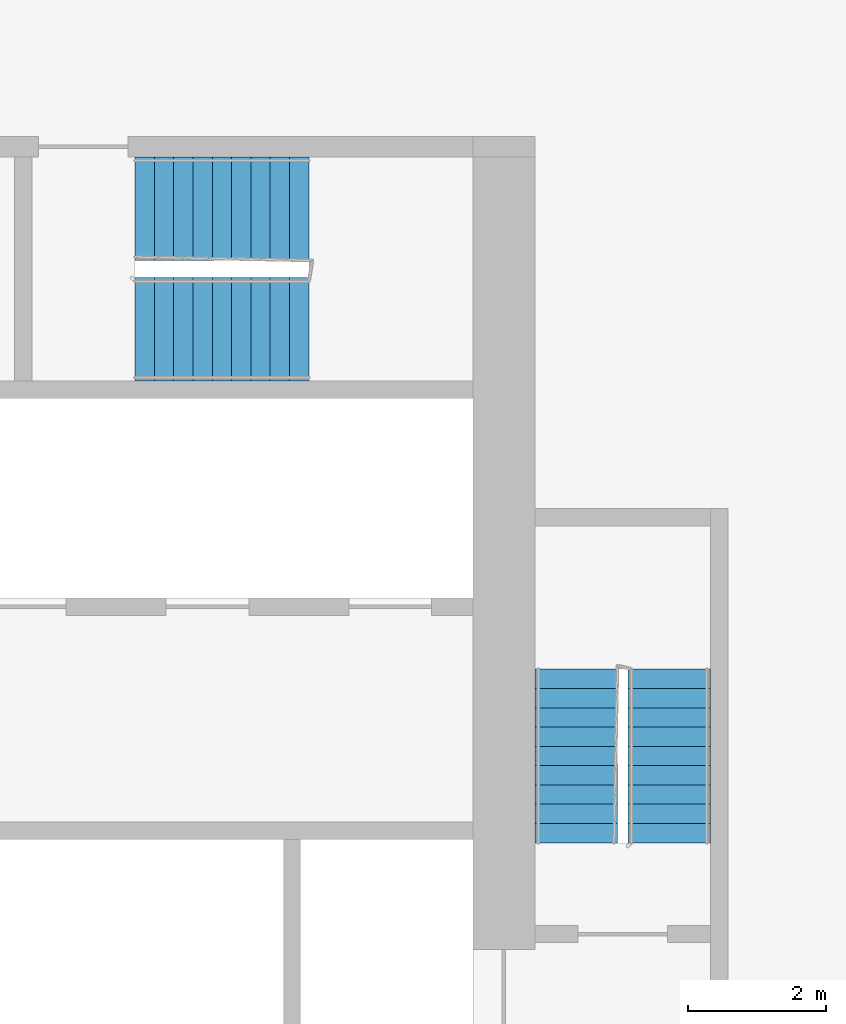
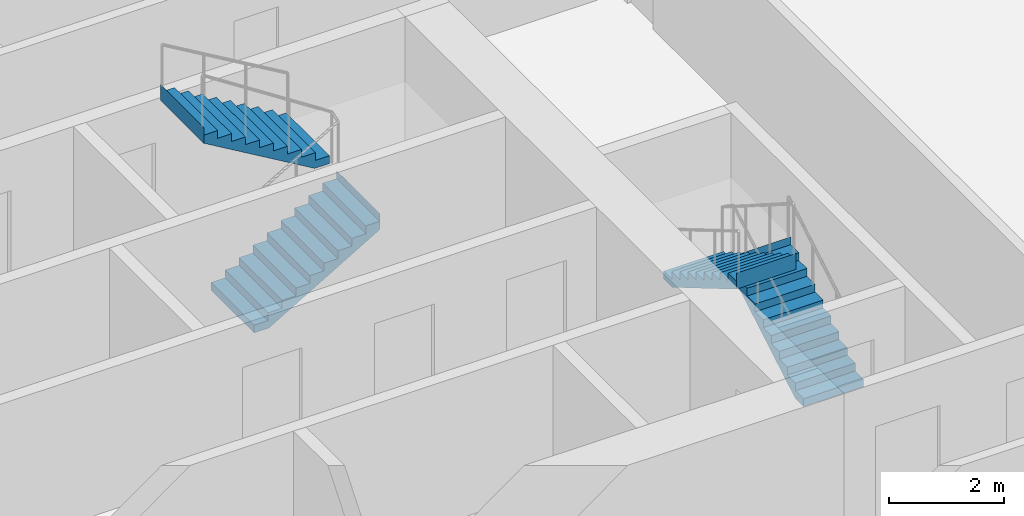
# One storey, part 11 of 12: 4 stair flights, 2 elements without a shape of their own.
"""IFC4 building model written with IfcOpenShell, lengths in metres."""

from ifc_helpers import new_model, si_unit, direction, frame, origin, place, context, subcontext, project, spatial, faceted_brep, material, type_object, element, aggregate, save


model = new_model("IFC4")

# Units and contexts
model_context = context("Model", 3, precision=1e-05, world=origin(), true_north=direction((0.0, 1.0)))
body_context = subcontext(model_context, "Body", "Model", "MODEL_VIEW")
ifc_project = project(units=[si_unit("LENGTHUNIT", "METRE"), si_unit("AREAUNIT", "SQUARE_METRE"), si_unit("VOLUMEUNIT", "CUBIC_METRE"), si_unit("PLANEANGLEUNIT", "RADIAN"), si_unit("MASSUNIT", "GRAM", prefix="KILO")], contexts=[model_context])

# Site, building, storey
site_placement = place(None, origin())
site = spatial("IfcSite", under=ifc_project, at=site_placement, CompositionType="ELEMENT")
building_placement = place(site_placement, origin())
building = spatial("IfcBuilding", under=site, at=building_placement, Name="Kajstack Hotel Tower", CompositionType="ELEMENT")
storey_placement = place(building_placement, frame((0.0, 0.0, 73.199951171875)))
storey = spatial("IfcBuildingStorey", under=building, at=storey_placement, Name="L13", CompositionType="ELEMENT", Elevation=73.199951171875)

# Stair, stair flights
ifc_material = material(Name="Concrete C40/50", Category="concrete")
stair_type_1 = type_object("IfcStairType", Name="Exit stair 1200", PredefinedType="HALF_TURN_STAIR", material=ifc_material)
stair_1_placement = place(storey_placement, origin())
stair_1 = element("IfcStair", 1, at=stair_1_placement, inside=storey, type_object=stair_type_1, Name="L13 stair E1", PredefinedType="HALF_TURN_STAIR")
stair_flight_type_1 = type_object("IfcStairFlightType", Name="Exit stair flight 1200", PredefinedType="STRAIGHT", material=ifc_material)
stair_flight_1_placement = place(storey_placement, frame((33.449951171875, 5.25, 0.0), z_axis=(0.0, 0.0, 1.0), x_axis=(0.0, 1.0, 0.0)))
stair_flight_1 = element("IfcStairFlight", 2, at=stair_flight_1_placement, type_object=stair_flight_type_1, Name="E1 flight 1", NumberOfRisers=10, NumberOfTreads=9, PredefinedType="STRAIGHT", RiserHeight=0.165, TreadLength=0.28, context=body_context, shape_type="Brep", body=[
    faceted_brep([(0.295654296875, -0.60009765625, 0.0), (2.5205078125, -0.60009765625, 1.31103515625), (2.5205078125, -0.60009765625, 1.64990234375), (2.52001953125, -0.60009765625, 1.64990234375), (2.52001953125, -0.60009765625, 1.485107421875), (2.239990234375, -0.60009765625, 1.485107421875), (2.239990234375, -0.60009765625, 1.320068359375), (1.9599609375, -0.60009765625, 1.320068359375), (1.9599609375, -0.60009765625, 1.155029296875), (1.679931640625, -0.60009765625, 1.155029296875), (1.679931640625, -0.60009765625, 0.989990234375), (1.39990234375, -0.60009765625, 0.989990234375), (1.39990234375, -0.60009765625, 0.824951171875), (1.1201171875, -0.60009765625, 0.824951171875), (1.1201171875, -0.60009765625, 0.659912109375), (0.840087890625, -0.60009765625, 0.659912109375), (0.840087890625, -0.60009765625, 0.4951171875), (0.56005859375, -0.60009765625, 0.4951171875), (0.56005859375, -0.60009765625, 0.330078125), (0.280029296875, -0.60009765625, 0.330078125), (0.280029296875, -0.60009765625, 0.1650390625), (-0.00048828125, -0.60009765625, 0.1650390625), (-0.00048828125, -0.60009765625, 0.0), (-0.00048828125, 0.60009765625, 0.0), (-0.00048828125, 0.60009765625, 0.1650390625), (0.280029296875, 0.60009765625, 0.1650390625), (0.280029296875, 0.60009765625, 0.330078125), (0.56005859375, 0.60009765625, 0.330078125), (0.56005859375, 0.60009765625, 0.4951171875), (0.840087890625, 0.60009765625, 0.4951171875), (0.840087890625, 0.60009765625, 0.659912109375), (1.1201171875, 0.60009765625, 0.659912109375), (1.1201171875, 0.60009765625, 0.824951171875), (1.39990234375, 0.60009765625, 0.824951171875), (1.39990234375, 0.60009765625, 0.989990234375), (1.679931640625, 0.60009765625, 0.989990234375), (1.679931640625, 0.60009765625, 1.155029296875), (1.9599609375, 0.60009765625, 1.155029296875), (1.9599609375, 0.60009765625, 1.320068359375), (2.239990234375, 0.60009765625, 1.320068359375), (2.239990234375, 0.60009765625, 1.485107421875), (2.52001953125, 0.60009765625, 1.485107421875), (2.52001953125, 0.60009765625, 1.64990234375), (2.5205078125, 0.60009765625, 1.64990234375), (2.5205078125, 0.60009765625, 1.31103515625), (0.295654296875, 0.60009765625, 0.0), (-0.00048828125, -0.300048828125, 0.1650390625), (-0.00048828125, 0.0, 0.1650390625), (-0.00048828125, 0.300048828125, 0.1650390625), (-0.00048828125, 0.300048828125, 0.0), (-0.00048828125, 0.0, 0.0), (-0.00048828125, -0.300048828125, 0.0), (0.280029296875, -0.300048828125, 0.1650390625), (0.280029296875, 0.0, 0.1650390625), (0.280029296875, 0.300048828125, 0.1650390625), (0.280029296875, -0.300048828125, 0.330078125), (0.280029296875, 0.0, 0.330078125), (0.280029296875, 0.300048828125, 0.330078125), (0.56005859375, -0.300048828125, 0.330078125), (0.56005859375, 0.0, 0.330078125), (0.56005859375, 0.300048828125, 0.330078125), (0.56005859375, -0.300048828125, 0.4951171875), (0.56005859375, 0.0, 0.4951171875), (0.56005859375, 0.300048828125, 0.4951171875), (0.840087890625, -0.300048828125, 0.4951171875), (0.840087890625, 0.0, 0.4951171875), (0.840087890625, 0.300048828125, 0.4951171875), (0.840087890625, -0.300048828125, 0.659912109375), (0.840087890625, 0.0, 0.659912109375), (0.840087890625, 0.300048828125, 0.659912109375), (1.1201171875, -0.300048828125, 0.659912109375), (1.1201171875, 0.0, 0.659912109375), (1.1201171875, 0.300048828125, 0.659912109375), (1.1201171875, -0.300048828125, 0.824951171875), (1.1201171875, 0.0, 0.824951171875), (1.1201171875, 0.300048828125, 0.824951171875), (1.39990234375, -0.300048828125, 0.824951171875), (1.39990234375, 0.0, 0.824951171875), (1.39990234375, 0.300048828125, 0.824951171875), (1.39990234375, -0.300048828125, 0.989990234375), (1.39990234375, 0.0, 0.989990234375), (1.39990234375, 0.300048828125, 0.989990234375), (1.679931640625, -0.300048828125, 0.989990234375), (1.679931640625, 0.0, 0.989990234375), (1.679931640625, 0.300048828125, 0.989990234375), (1.679931640625, -0.300048828125, 1.155029296875), (1.679931640625, 0.0, 1.155029296875), (1.679931640625, 0.300048828125, 1.155029296875), (1.9599609375, -0.300048828125, 1.155029296875), (1.9599609375, 0.0, 1.155029296875), (1.9599609375, 0.300048828125, 1.155029296875), (1.9599609375, -0.300048828125, 1.320068359375), (1.9599609375, 0.0, 1.320068359375), (1.9599609375, 0.300048828125, 1.320068359375), (2.239990234375, -0.300048828125, 1.320068359375), (2.239990234375, 0.0, 1.320068359375), (2.239990234375, 0.300048828125, 1.320068359375), (2.239990234375, -0.300048828125, 1.485107421875), (2.239990234375, 0.0, 1.485107421875), (2.239990234375, 0.300048828125, 1.485107421875), (2.52001953125, -0.300048828125, 1.485107421875), (2.52001953125, 0.0, 1.485107421875), (2.52001953125, 0.300048828125, 1.485107421875), (2.52001953125, -0.300048828125, 1.64990234375), (2.52001953125, 0.0, 1.64990234375), (2.52001953125, 0.300048828125, 1.64990234375), (2.5205078125, -0.300048828125, 1.64990234375), (2.5205078125, 0.0, 1.64990234375), (2.5205078125, 0.300048828125, 1.64990234375), (2.5205078125, -0.300048828125, 1.31103515625), (2.5205078125, 0.0, 1.31103515625), (2.5205078125, 0.300048828125, 1.31103515625), (0.295654296875, -0.300048828125, 0.0), (0.295654296875, 0.0, 0.0), (0.295654296875, 0.300048828125, 0.0)], [[[0, 1, 2, 3, 4, 5, 6, 7, 8, 9, 10, 11, 12, 13, 14, 15, 16, 17, 18, 19, 20, 21, 22]], [[23, 24, 25, 26, 27, 28, 29, 30, 31, 32, 33, 34, 35, 36, 37, 38, 39, 40, 41, 42, 43, 44, 45]], [[21, 46, 47, 48, 24, 23, 49, 50, 51, 22]], [[20, 52, 53, 54, 25, 24, 48, 47, 46, 21]], [[19, 55, 56, 57, 26, 25, 54, 53, 52, 20]], [[18, 58, 59, 60, 27, 26, 57, 56, 55, 19]], [[17, 61, 62, 63, 28, 27, 60, 59, 58, 18]], [[16, 64, 65, 66, 29, 28, 63, 62, 61, 17]], [[15, 67, 68, 69, 30, 29, 66, 65, 64, 16]], [[14, 70, 71, 72, 31, 30, 69, 68, 67, 15]], [[13, 73, 74, 75, 32, 31, 72, 71, 70, 14]], [[12, 76, 77, 78, 33, 32, 75, 74, 73, 13]], [[11, 79, 80, 81, 34, 33, 78, 77, 76, 12]], [[10, 82, 83, 84, 35, 34, 81, 80, 79, 11]], [[9, 85, 86, 87, 36, 35, 84, 83, 82, 10]], [[8, 88, 89, 90, 37, 36, 87, 86, 85, 9]], [[7, 91, 92, 93, 38, 37, 90, 89, 88, 8]], [[6, 94, 95, 96, 39, 38, 93, 92, 91, 7]], [[5, 97, 98, 99, 40, 39, 96, 95, 94, 6]], [[4, 100, 101, 102, 41, 40, 99, 98, 97, 5]], [[3, 103, 104, 105, 42, 41, 102, 101, 100, 4]], [[2, 106, 107, 108, 43, 42, 105, 104, 103, 3]], [[1, 109, 110, 111, 44, 43, 108, 107, 106, 2]], [[0, 112, 113, 114, 45, 44, 111, 110, 109, 1]], [[22, 51, 50, 49, 23, 45, 114, 113, 112, 0]]]),
])
stair_flight_2_placement = place(storey_placement, frame((32.10009765625, 7.77001953125, 1.650146484375), z_axis=(0.0, 0.0, 1.0), x_axis=(0.0, -1.0, 0.0)))
stair_flight_2 = element("IfcStairFlight", 3, at=stair_flight_2_placement, type_object=stair_flight_type_1, Name="E1 flight 2", NumberOfRisers=10, NumberOfTreads=9, PredefinedType="STRAIGHT", RiserHeight=0.165, TreadLength=0.28, context=body_context, shape_type="Brep", body=[
    faceted_brep([(0.295654296875, -0.60009765625, 0.0), (2.5205078125, -0.60009765625, 1.31103515625), (2.5205078125, -0.60009765625, 1.64990234375), (2.52001953125, -0.60009765625, 1.64990234375), (2.52001953125, -0.60009765625, 1.485107421875), (2.239990234375, -0.60009765625, 1.485107421875), (2.239990234375, -0.60009765625, 1.320068359375), (1.9599609375, -0.60009765625, 1.320068359375), (1.9599609375, -0.60009765625, 1.155029296875), (1.679931640625, -0.60009765625, 1.155029296875), (1.679931640625, -0.60009765625, 0.989990234375), (1.39990234375, -0.60009765625, 0.989990234375), (1.39990234375, -0.60009765625, 0.824951171875), (1.1201171875, -0.60009765625, 0.824951171875), (1.1201171875, -0.60009765625, 0.659912109375), (0.840087890625, -0.60009765625, 0.659912109375), (0.840087890625, -0.60009765625, 0.4951171875), (0.56005859375, -0.60009765625, 0.4951171875), (0.56005859375, -0.60009765625, 0.330078125), (0.280029296875, -0.60009765625, 0.330078125), (0.280029296875, -0.60009765625, 0.1650390625), (-0.00048828125, -0.60009765625, 0.1650390625), (-0.00048828125, -0.60009765625, 0.0), (-0.00048828125, 0.60009765625, 0.0), (-0.00048828125, 0.60009765625, 0.1650390625), (0.280029296875, 0.60009765625, 0.1650390625), (0.280029296875, 0.60009765625, 0.330078125), (0.56005859375, 0.60009765625, 0.330078125), (0.56005859375, 0.60009765625, 0.4951171875), (0.840087890625, 0.60009765625, 0.4951171875), (0.840087890625, 0.60009765625, 0.659912109375), (1.1201171875, 0.60009765625, 0.659912109375), (1.1201171875, 0.60009765625, 0.824951171875), (1.39990234375, 0.60009765625, 0.824951171875), (1.39990234375, 0.60009765625, 0.989990234375), (1.679931640625, 0.60009765625, 0.989990234375), (1.679931640625, 0.60009765625, 1.155029296875), (1.9599609375, 0.60009765625, 1.155029296875), (1.9599609375, 0.60009765625, 1.320068359375), (2.239990234375, 0.60009765625, 1.320068359375), (2.239990234375, 0.60009765625, 1.485107421875), (2.52001953125, 0.60009765625, 1.485107421875), (2.52001953125, 0.60009765625, 1.64990234375), (2.5205078125, 0.60009765625, 1.64990234375), (2.5205078125, 0.60009765625, 1.31103515625), (0.295654296875, 0.60009765625, 0.0), (-0.00048828125, -0.300048828125, 0.1650390625), (-0.00048828125, 0.0, 0.1650390625), (-0.00048828125, 0.300048828125, 0.1650390625), (-0.00048828125, 0.300048828125, 0.0), (-0.00048828125, 0.0, 0.0), (-0.00048828125, -0.300048828125, 0.0), (0.280029296875, -0.300048828125, 0.1650390625), (0.280029296875, 0.0, 0.1650390625), (0.280029296875, 0.300048828125, 0.1650390625), (0.280029296875, -0.300048828125, 0.330078125), (0.280029296875, 0.0, 0.330078125), (0.280029296875, 0.300048828125, 0.330078125), (0.56005859375, -0.300048828125, 0.330078125), (0.56005859375, 0.0, 0.330078125), (0.56005859375, 0.300048828125, 0.330078125), (0.56005859375, -0.300048828125, 0.4951171875), (0.56005859375, 0.0, 0.4951171875), (0.56005859375, 0.300048828125, 0.4951171875), (0.840087890625, -0.300048828125, 0.4951171875), (0.840087890625, 0.0, 0.4951171875), (0.840087890625, 0.300048828125, 0.4951171875), (0.840087890625, -0.300048828125, 0.659912109375), (0.840087890625, 0.0, 0.659912109375), (0.840087890625, 0.300048828125, 0.659912109375), (1.1201171875, -0.300048828125, 0.659912109375), (1.1201171875, 0.0, 0.659912109375), (1.1201171875, 0.300048828125, 0.659912109375), (1.1201171875, -0.300048828125, 0.824951171875), (1.1201171875, 0.0, 0.824951171875), (1.1201171875, 0.300048828125, 0.824951171875), (1.39990234375, -0.300048828125, 0.824951171875), (1.39990234375, 0.0, 0.824951171875), (1.39990234375, 0.300048828125, 0.824951171875), (1.39990234375, -0.300048828125, 0.989990234375), (1.39990234375, 0.0, 0.989990234375), (1.39990234375, 0.300048828125, 0.989990234375), (1.679931640625, -0.300048828125, 0.989990234375), (1.679931640625, 0.0, 0.989990234375), (1.679931640625, 0.300048828125, 0.989990234375), (1.679931640625, -0.300048828125, 1.155029296875), (1.679931640625, 0.0, 1.155029296875), (1.679931640625, 0.300048828125, 1.155029296875), (1.9599609375, -0.300048828125, 1.155029296875), (1.9599609375, 0.0, 1.155029296875), (1.9599609375, 0.300048828125, 1.155029296875), (1.9599609375, -0.300048828125, 1.320068359375), (1.9599609375, 0.0, 1.320068359375), (1.9599609375, 0.300048828125, 1.320068359375), (2.239990234375, -0.300048828125, 1.320068359375), (2.239990234375, 0.0, 1.320068359375), (2.239990234375, 0.300048828125, 1.320068359375), (2.239990234375, -0.300048828125, 1.485107421875), (2.239990234375, 0.0, 1.485107421875), (2.239990234375, 0.300048828125, 1.485107421875), (2.52001953125, -0.300048828125, 1.485107421875), (2.52001953125, 0.0, 1.485107421875), (2.52001953125, 0.300048828125, 1.485107421875), (2.52001953125, -0.300048828125, 1.64990234375), (2.52001953125, 0.0, 1.64990234375), (2.52001953125, 0.300048828125, 1.64990234375), (2.5205078125, -0.300048828125, 1.64990234375), (2.5205078125, 0.0, 1.64990234375), (2.5205078125, 0.300048828125, 1.64990234375), (2.5205078125, -0.300048828125, 1.31103515625), (2.5205078125, 0.0, 1.31103515625), (2.5205078125, 0.300048828125, 1.31103515625), (0.295654296875, -0.300048828125, 0.0), (0.295654296875, 0.0, 0.0), (0.295654296875, 0.300048828125, 0.0)], [[[0, 1, 2, 3, 4, 5, 6, 7, 8, 9, 10, 11, 12, 13, 14, 15, 16, 17, 18, 19, 20, 21, 22]], [[23, 24, 25, 26, 27, 28, 29, 30, 31, 32, 33, 34, 35, 36, 37, 38, 39, 40, 41, 42, 43, 44, 45]], [[21, 46, 47, 48, 24, 23, 49, 50, 51, 22]], [[20, 52, 53, 54, 25, 24, 48, 47, 46, 21]], [[19, 55, 56, 57, 26, 25, 54, 53, 52, 20]], [[18, 58, 59, 60, 27, 26, 57, 56, 55, 19]], [[17, 61, 62, 63, 28, 27, 60, 59, 58, 18]], [[16, 64, 65, 66, 29, 28, 63, 62, 61, 17]], [[15, 67, 68, 69, 30, 29, 66, 65, 64, 16]], [[14, 70, 71, 72, 31, 30, 69, 68, 67, 15]], [[13, 73, 74, 75, 32, 31, 72, 71, 70, 14]], [[12, 76, 77, 78, 33, 32, 75, 74, 73, 13]], [[11, 79, 80, 81, 34, 33, 78, 77, 76, 12]], [[10, 82, 83, 84, 35, 34, 81, 80, 79, 11]], [[9, 85, 86, 87, 36, 35, 84, 83, 82, 10]], [[8, 88, 89, 90, 37, 36, 87, 86, 85, 9]], [[7, 91, 92, 93, 38, 37, 90, 89, 88, 8]], [[6, 94, 95, 96, 39, 38, 93, 92, 91, 7]], [[5, 97, 98, 99, 40, 39, 96, 95, 94, 6]], [[4, 100, 101, 102, 41, 40, 99, 98, 97, 5]], [[3, 103, 104, 105, 42, 41, 102, 101, 100, 4]], [[2, 106, 107, 108, 43, 42, 105, 104, 103, 3]], [[1, 109, 110, 111, 44, 43, 108, 107, 106, 2]], [[0, 112, 113, 114, 45, 44, 111, 110, 109, 1]], [[22, 51, 50, 49, 23, 45, 114, 113, 112, 0]]]),
])
aggregate(stair_1, [stair_flight_1, stair_flight_2])

stair_type_2 = type_object("IfcStairType", Name="Exit stair 1500", PredefinedType="HALF_TURN_STAIR", material=ifc_material)
stair_2_placement = place(storey_placement, origin())
stair_2 = element("IfcStair", 4, at=stair_2_placement, inside=storey, type_object=stair_type_2, Name="L13 stair E3", PredefinedType="HALF_TURN_STAIR")
stair_flight_type_2 = type_object("IfcStairFlightType", Name="Exit stair flight 1500", PredefinedType="STRAIGHT", material=ifc_material)
stair_flight_3_placement = place(storey_placement, frame((25.699951171875, 12.699951171875, 0.0), z_axis=(0.0, 0.0, 1.0), x_axis=(1.0, 0.0, 0.0)))
stair_flight_3 = element("IfcStairFlight", 5, at=stair_flight_3_placement, type_object=stair_flight_type_2, Name="E3 flight 1", NumberOfRisers=10, NumberOfTreads=9, PredefinedType="STRAIGHT", RiserHeight=0.165, TreadLength=0.28, context=body_context, shape_type="Brep", body=[
    faceted_brep([(0.295654296875, -0.75, 0.0), (2.5205078125, -0.75, 1.31103515625), (2.5205078125, -0.75, 1.64990234375), (2.52001953125, -0.75, 1.64990234375), (2.52001953125, -0.75, 1.485107421875), (2.239990234375, -0.75, 1.485107421875), (2.239990234375, -0.75, 1.320068359375), (1.9599609375, -0.75, 1.320068359375), (1.9599609375, -0.75, 1.155029296875), (1.679931640625, -0.75, 1.155029296875), (1.679931640625, -0.75, 0.989990234375), (1.39990234375, -0.75, 0.989990234375), (1.39990234375, -0.75, 0.824951171875), (1.1201171875, -0.75, 0.824951171875), (1.1201171875, -0.75, 0.659912109375), (0.840087890625, -0.75, 0.659912109375), (0.840087890625, -0.75, 0.4951171875), (0.56005859375, -0.75, 0.4951171875), (0.56005859375, -0.75, 0.330078125), (0.280029296875, -0.75, 0.330078125), (0.280029296875, -0.75, 0.1650390625), (-0.00048828125, -0.75, 0.1650390625), (-0.00048828125, -0.75, 0.0), (-0.00048828125, 0.75, 0.0), (-0.00048828125, 0.75, 0.1650390625), (0.280029296875, 0.75, 0.1650390625), (0.280029296875, 0.75, 0.330078125), (0.56005859375, 0.75, 0.330078125), (0.56005859375, 0.75, 0.4951171875), (0.840087890625, 0.75, 0.4951171875), (0.840087890625, 0.75, 0.659912109375), (1.1201171875, 0.75, 0.659912109375), (1.1201171875, 0.75, 0.824951171875), (1.39990234375, 0.75, 0.824951171875), (1.39990234375, 0.75, 0.989990234375), (1.679931640625, 0.75, 0.989990234375), (1.679931640625, 0.75, 1.155029296875), (1.9599609375, 0.75, 1.155029296875), (1.9599609375, 0.75, 1.320068359375), (2.239990234375, 0.75, 1.320068359375), (2.239990234375, 0.75, 1.485107421875), (2.52001953125, 0.75, 1.485107421875), (2.52001953125, 0.75, 1.64990234375), (2.5205078125, 0.75, 1.64990234375), (2.5205078125, 0.75, 1.31103515625), (0.295654296875, 0.75, 0.0), (-0.00048828125, -0.375, 0.1650390625), (-0.00048828125, 0.0, 0.1650390625), (-0.00048828125, 0.375, 0.1650390625), (-0.00048828125, 0.375, 0.0), (-0.00048828125, 0.0, 0.0), (-0.00048828125, -0.375, 0.0), (0.280029296875, -0.375, 0.1650390625), (0.280029296875, 0.0, 0.1650390625), (0.280029296875, 0.375, 0.1650390625), (0.280029296875, -0.375, 0.330078125), (0.280029296875, 0.0, 0.330078125), (0.280029296875, 0.375, 0.330078125), (0.56005859375, -0.375, 0.330078125), (0.56005859375, 0.0, 0.330078125), (0.56005859375, 0.375, 0.330078125), (0.56005859375, -0.375, 0.4951171875), (0.56005859375, 0.0, 0.4951171875), (0.56005859375, 0.375, 0.4951171875), (0.840087890625, -0.375, 0.4951171875), (0.840087890625, 0.0, 0.4951171875), (0.840087890625, 0.375, 0.4951171875), (0.840087890625, -0.375, 0.659912109375), (0.840087890625, 0.0, 0.659912109375), (0.840087890625, 0.375, 0.659912109375), (1.1201171875, -0.375, 0.659912109375), (1.1201171875, 0.0, 0.659912109375), (1.1201171875, 0.375, 0.659912109375), (1.1201171875, -0.375, 0.824951171875), (1.1201171875, 0.0, 0.824951171875), (1.1201171875, 0.375, 0.824951171875), (1.39990234375, -0.375, 0.824951171875), (1.39990234375, 0.0, 0.824951171875), (1.39990234375, 0.375, 0.824951171875), (1.39990234375, -0.375, 0.989990234375), (1.39990234375, 0.0, 0.989990234375), (1.39990234375, 0.375, 0.989990234375), (1.679931640625, -0.375, 0.989990234375), (1.679931640625, 0.0, 0.989990234375), (1.679931640625, 0.375, 0.989990234375), (1.679931640625, -0.375, 1.155029296875), (1.679931640625, 0.0, 1.155029296875), (1.679931640625, 0.375, 1.155029296875), (1.9599609375, -0.375, 1.155029296875), (1.9599609375, 0.0, 1.155029296875), (1.9599609375, 0.375, 1.155029296875), (1.9599609375, -0.375, 1.320068359375), (1.9599609375, 0.0, 1.320068359375), (1.9599609375, 0.375, 1.320068359375), (2.239990234375, -0.375, 1.320068359375), (2.239990234375, 0.0, 1.320068359375), (2.239990234375, 0.375, 1.320068359375), (2.239990234375, -0.375, 1.485107421875), (2.239990234375, 0.0, 1.485107421875), (2.239990234375, 0.375, 1.485107421875), (2.52001953125, -0.375, 1.485107421875), (2.52001953125, 0.0, 1.485107421875), (2.52001953125, 0.375, 1.485107421875), (2.52001953125, -0.375, 1.64990234375), (2.52001953125, 0.0, 1.64990234375), (2.52001953125, 0.375, 1.64990234375), (2.5205078125, -0.375, 1.64990234375), (2.5205078125, 0.0, 1.64990234375), (2.5205078125, 0.375, 1.64990234375), (2.5205078125, -0.375, 1.31103515625), (2.5205078125, 0.0, 1.31103515625), (2.5205078125, 0.375, 1.31103515625), (0.295654296875, -0.375, 0.0), (0.295654296875, 0.0, 0.0), (0.295654296875, 0.375, 0.0)], [[[0, 1, 2, 3, 4, 5, 6, 7, 8, 9, 10, 11, 12, 13, 14, 15, 16, 17, 18, 19, 20, 21, 22]], [[23, 24, 25, 26, 27, 28, 29, 30, 31, 32, 33, 34, 35, 36, 37, 38, 39, 40, 41, 42, 43, 44, 45]], [[21, 46, 47, 48, 24, 23, 49, 50, 51, 22]], [[20, 52, 53, 54, 25, 24, 48, 47, 46, 21]], [[19, 55, 56, 57, 26, 25, 54, 53, 52, 20]], [[18, 58, 59, 60, 27, 26, 57, 56, 55, 19]], [[17, 61, 62, 63, 28, 27, 60, 59, 58, 18]], [[16, 64, 65, 66, 29, 28, 63, 62, 61, 17]], [[15, 67, 68, 69, 30, 29, 66, 65, 64, 16]], [[14, 70, 71, 72, 31, 30, 69, 68, 67, 15]], [[13, 73, 74, 75, 32, 31, 72, 71, 70, 14]], [[12, 76, 77, 78, 33, 32, 75, 74, 73, 13]], [[11, 79, 80, 81, 34, 33, 78, 77, 76, 12]], [[10, 82, 83, 84, 35, 34, 81, 80, 79, 11]], [[9, 85, 86, 87, 36, 35, 84, 83, 82, 10]], [[8, 88, 89, 90, 37, 36, 87, 86, 85, 9]], [[7, 91, 92, 93, 38, 37, 90, 89, 88, 8]], [[6, 94, 95, 96, 39, 38, 93, 92, 91, 7]], [[5, 97, 98, 99, 40, 39, 96, 95, 94, 6]], [[4, 100, 101, 102, 41, 40, 99, 98, 97, 5]], [[3, 103, 104, 105, 42, 41, 102, 101, 100, 4]], [[2, 106, 107, 108, 43, 42, 105, 104, 103, 3]], [[1, 109, 110, 111, 44, 43, 108, 107, 106, 2]], [[0, 112, 113, 114, 45, 44, 111, 110, 109, 1]], [[22, 51, 50, 49, 23, 45, 114, 113, 112, 0]]]),
])
stair_flight_4_placement = place(storey_placement, frame((28.219970703125, 14.449951171875, 1.650146484375), z_axis=(0.0, 0.0, 1.0), x_axis=(-1.0, 0.0, 0.0)))
stair_flight_4 = element("IfcStairFlight", 6, at=stair_flight_4_placement, type_object=stair_flight_type_2, Name="E3 flight 2", NumberOfRisers=10, NumberOfTreads=9, PredefinedType="STRAIGHT", RiserHeight=0.165, TreadLength=0.28, context=body_context, shape_type="Brep", body=[
    faceted_brep([(0.295654296875, -0.75, 0.0), (2.5205078125, -0.75, 1.31103515625), (2.5205078125, -0.75, 1.64990234375), (2.52001953125, -0.75, 1.64990234375), (2.52001953125, -0.75, 1.485107421875), (2.239990234375, -0.75, 1.485107421875), (2.239990234375, -0.75, 1.320068359375), (1.9599609375, -0.75, 1.320068359375), (1.9599609375, -0.75, 1.155029296875), (1.679931640625, -0.75, 1.155029296875), (1.679931640625, -0.75, 0.989990234375), (1.39990234375, -0.75, 0.989990234375), (1.39990234375, -0.75, 0.824951171875), (1.1201171875, -0.75, 0.824951171875), (1.1201171875, -0.75, 0.659912109375), (0.840087890625, -0.75, 0.659912109375), (0.840087890625, -0.75, 0.4951171875), (0.56005859375, -0.75, 0.4951171875), (0.56005859375, -0.75, 0.330078125), (0.280029296875, -0.75, 0.330078125), (0.280029296875, -0.75, 0.1650390625), (-0.00048828125, -0.75, 0.1650390625), (-0.00048828125, -0.75, 0.0), (-0.00048828125, 0.75, 0.0), (-0.00048828125, 0.75, 0.1650390625), (0.280029296875, 0.75, 0.1650390625), (0.280029296875, 0.75, 0.330078125), (0.56005859375, 0.75, 0.330078125), (0.56005859375, 0.75, 0.4951171875), (0.840087890625, 0.75, 0.4951171875), (0.840087890625, 0.75, 0.659912109375), (1.1201171875, 0.75, 0.659912109375), (1.1201171875, 0.75, 0.824951171875), (1.39990234375, 0.75, 0.824951171875), (1.39990234375, 0.75, 0.989990234375), (1.679931640625, 0.75, 0.989990234375), (1.679931640625, 0.75, 1.155029296875), (1.9599609375, 0.75, 1.155029296875), (1.9599609375, 0.75, 1.320068359375), (2.239990234375, 0.75, 1.320068359375), (2.239990234375, 0.75, 1.485107421875), (2.52001953125, 0.75, 1.485107421875), (2.52001953125, 0.75, 1.64990234375), (2.5205078125, 0.75, 1.64990234375), (2.5205078125, 0.75, 1.31103515625), (0.295654296875, 0.75, 0.0), (-0.00048828125, -0.375, 0.1650390625), (-0.00048828125, 0.0, 0.1650390625), (-0.00048828125, 0.375, 0.1650390625), (-0.00048828125, 0.375, 0.0), (-0.00048828125, 0.0, 0.0), (-0.00048828125, -0.375, 0.0), (0.280029296875, -0.375, 0.1650390625), (0.280029296875, 0.0, 0.1650390625), (0.280029296875, 0.375, 0.1650390625), (0.280029296875, -0.375, 0.330078125), (0.280029296875, 0.0, 0.330078125), (0.280029296875, 0.375, 0.330078125), (0.56005859375, -0.375, 0.330078125), (0.56005859375, 0.0, 0.330078125), (0.56005859375, 0.375, 0.330078125), (0.56005859375, -0.375, 0.4951171875), (0.56005859375, 0.0, 0.4951171875), (0.56005859375, 0.375, 0.4951171875), (0.840087890625, -0.375, 0.4951171875), (0.840087890625, 0.0, 0.4951171875), (0.840087890625, 0.375, 0.4951171875), (0.840087890625, -0.375, 0.659912109375), (0.840087890625, 0.0, 0.659912109375), (0.840087890625, 0.375, 0.659912109375), (1.1201171875, -0.375, 0.659912109375), (1.1201171875, 0.0, 0.659912109375), (1.1201171875, 0.375, 0.659912109375), (1.1201171875, -0.375, 0.824951171875), (1.1201171875, 0.0, 0.824951171875), (1.1201171875, 0.375, 0.824951171875), (1.39990234375, -0.375, 0.824951171875), (1.39990234375, 0.0, 0.824951171875), (1.39990234375, 0.375, 0.824951171875), (1.39990234375, -0.375, 0.989990234375), (1.39990234375, 0.0, 0.989990234375), (1.39990234375, 0.375, 0.989990234375), (1.679931640625, -0.375, 0.989990234375), (1.679931640625, 0.0, 0.989990234375), (1.679931640625, 0.375, 0.989990234375), (1.679931640625, -0.375, 1.155029296875), (1.679931640625, 0.0, 1.155029296875), (1.679931640625, 0.375, 1.155029296875), (1.9599609375, -0.375, 1.155029296875), (1.9599609375, 0.0, 1.155029296875), (1.9599609375, 0.375, 1.155029296875), (1.9599609375, -0.375, 1.320068359375), (1.9599609375, 0.0, 1.320068359375), (1.9599609375, 0.375, 1.320068359375), (2.239990234375, -0.375, 1.320068359375), (2.239990234375, 0.0, 1.320068359375), (2.239990234375, 0.375, 1.320068359375), (2.239990234375, -0.375, 1.485107421875), (2.239990234375, 0.0, 1.485107421875), (2.239990234375, 0.375, 1.485107421875), (2.52001953125, -0.375, 1.485107421875), (2.52001953125, 0.0, 1.485107421875), (2.52001953125, 0.375, 1.485107421875), (2.52001953125, -0.375, 1.64990234375), (2.52001953125, 0.0, 1.64990234375), (2.52001953125, 0.375, 1.64990234375), (2.5205078125, -0.375, 1.64990234375), (2.5205078125, 0.0, 1.64990234375), (2.5205078125, 0.375, 1.64990234375), (2.5205078125, -0.375, 1.31103515625), (2.5205078125, 0.0, 1.31103515625), (2.5205078125, 0.375, 1.31103515625), (0.295654296875, -0.375, 0.0), (0.295654296875, 0.0, 0.0), (0.295654296875, 0.375, 0.0)], [[[0, 1, 2, 3, 4, 5, 6, 7, 8, 9, 10, 11, 12, 13, 14, 15, 16, 17, 18, 19, 20, 21, 22]], [[23, 24, 25, 26, 27, 28, 29, 30, 31, 32, 33, 34, 35, 36, 37, 38, 39, 40, 41, 42, 43, 44, 45]], [[21, 46, 47, 48, 24, 23, 49, 50, 51, 22]], [[20, 52, 53, 54, 25, 24, 48, 47, 46, 21]], [[19, 55, 56, 57, 26, 25, 54, 53, 52, 20]], [[18, 58, 59, 60, 27, 26, 57, 56, 55, 19]], [[17, 61, 62, 63, 28, 27, 60, 59, 58, 18]], [[16, 64, 65, 66, 29, 28, 63, 62, 61, 17]], [[15, 67, 68, 69, 30, 29, 66, 65, 64, 16]], [[14, 70, 71, 72, 31, 30, 69, 68, 67, 15]], [[13, 73, 74, 75, 32, 31, 72, 71, 70, 14]], [[12, 76, 77, 78, 33, 32, 75, 74, 73, 13]], [[11, 79, 80, 81, 34, 33, 78, 77, 76, 12]], [[10, 82, 83, 84, 35, 34, 81, 80, 79, 11]], [[9, 85, 86, 87, 36, 35, 84, 83, 82, 10]], [[8, 88, 89, 90, 37, 36, 87, 86, 85, 9]], [[7, 91, 92, 93, 38, 37, 90, 89, 88, 8]], [[6, 94, 95, 96, 39, 38, 93, 92, 91, 7]], [[5, 97, 98, 99, 40, 39, 96, 95, 94, 6]], [[4, 100, 101, 102, 41, 40, 99, 98, 97, 5]], [[3, 103, 104, 105, 42, 41, 102, 101, 100, 4]], [[2, 106, 107, 108, 43, 42, 105, 104, 103, 3]], [[1, 109, 110, 111, 44, 43, 108, 107, 106, 2]], [[0, 112, 113, 114, 45, 44, 111, 110, 109, 1]], [[22, 51, 50, 49, 23, 45, 114, 113, 112, 0]]]),
])
aggregate(stair_2, [stair_flight_3, stair_flight_4])

save(model, "model.ifc")
